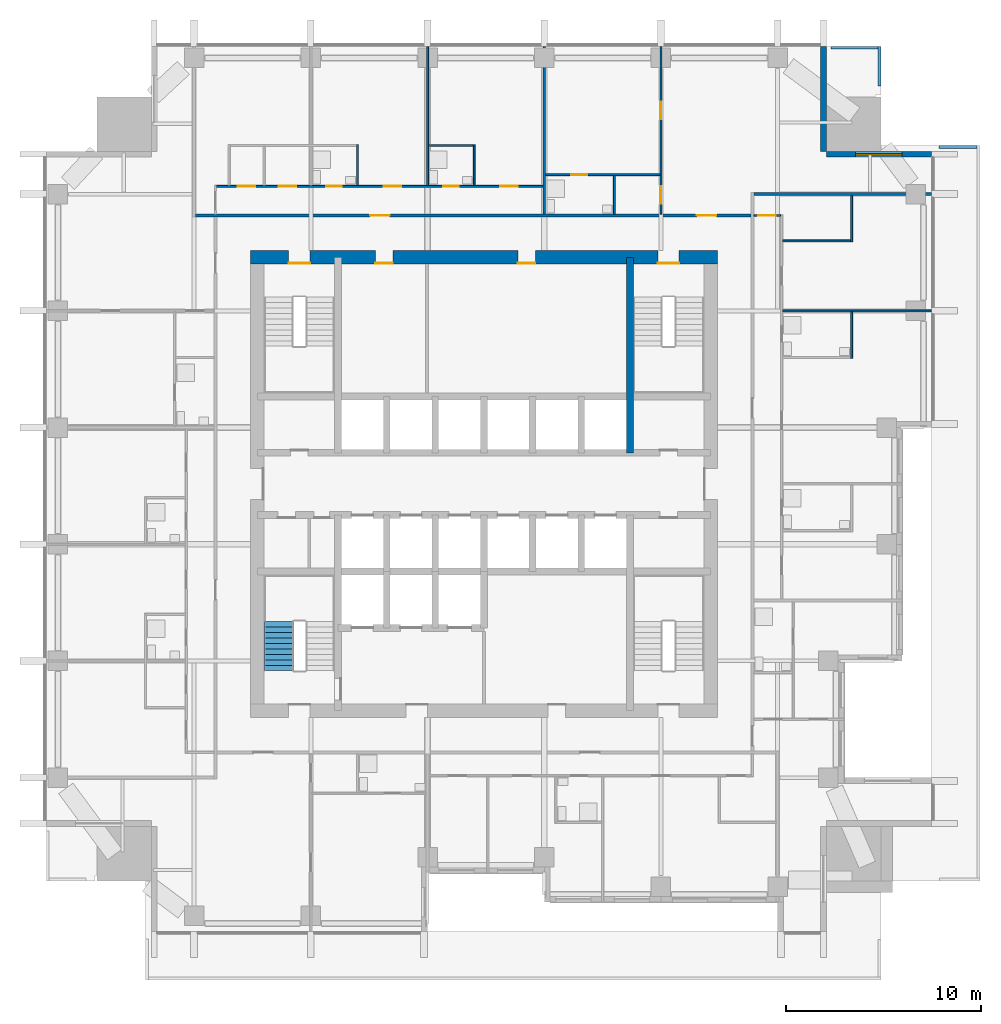
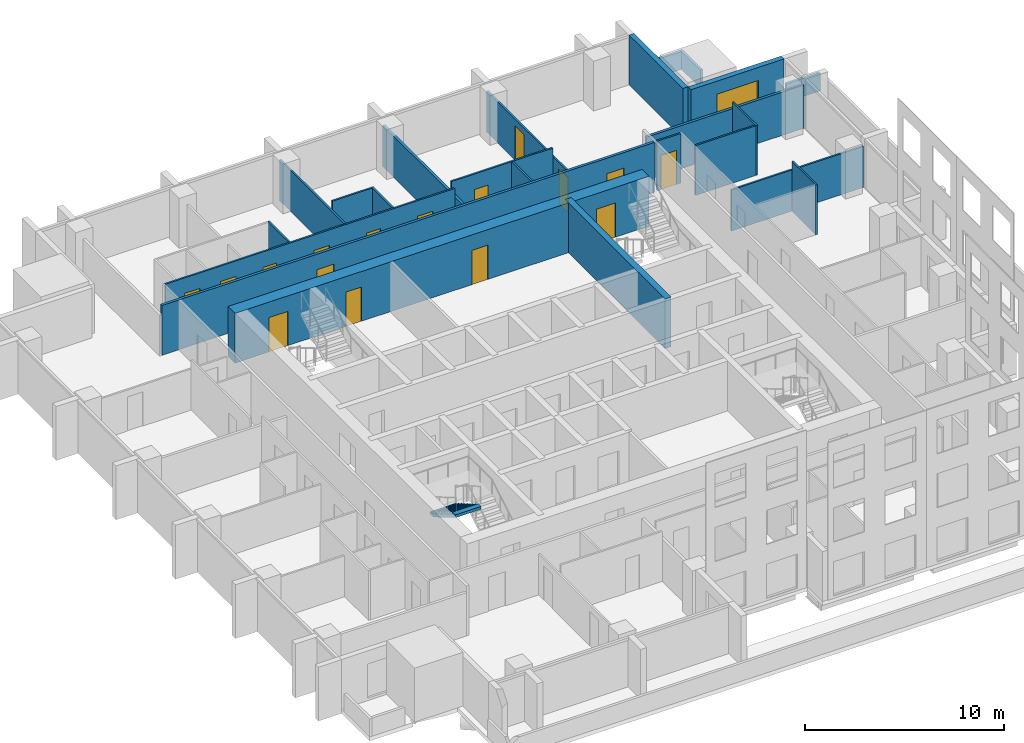
# One storey, part 8 of 14: 23 walls, 16 doors, 1 stair flight, 1 window, 17 openings, 1 element without a shape of its own.
"""IFC4 building model written with IfcOpenShell, lengths in metres."""

from ifc_helpers import new_model, si_unit, direction, frame, frame_2d, origin, place, context, subcontext, project, spatial, polyline, rectangle, outline, extrude, material, layer, layer_set, type_object, element, fill, aggregate, save


model = new_model("IFC4")

# Units and contexts
model_context = context("Model", 3, precision=1e-05, world=origin(), true_north=direction((0.0, 1.0)))
body_context = subcontext(model_context, "Body", "Model", "MODEL_VIEW")
ifc_project = project(units=[si_unit("LENGTHUNIT", "METRE"), si_unit("AREAUNIT", "SQUARE_METRE"), si_unit("VOLUMEUNIT", "CUBIC_METRE"), si_unit("PLANEANGLEUNIT", "RADIAN"), si_unit("MASSUNIT", "GRAM", prefix="KILO")], contexts=[model_context])

# Site, building, storey
site_placement = place(None, origin())
site = spatial("IfcSite", under=ifc_project, at=site_placement, CompositionType="ELEMENT")
building_placement = place(site_placement, origin())
building = spatial("IfcBuilding", under=site, at=building_placement, Name="Amberfall Residences", CompositionType="ELEMENT")
storey_placement = place(building_placement, frame((0.0, 0.0, 133.89990234375)))
storey = spatial("IfcBuildingStorey", under=building, at=storey_placement, Name="L35", CompositionType="ELEMENT", Elevation=133.89990234375)

# Wall, opening, window
ifc_material_1 = material(Name="Pale stone cladding on insulated backing", Category="masonry")
ifc_layer_1 = layer(ifc_material_1, 0.300048828125)
ifc_layer_set_1 = layer_set([ifc_layer_1], Name="Bronze clad wall 300")
wall_type_1 = type_object("IfcWallType", Name="Bronze clad wall 300", PredefinedType="SOLIDWALL", material=ifc_layer_set_1)
wall_1_placement = place(storey_placement, frame((97.5, 62.449951171875, 0.0), z_axis=(0.0, 0.0, 1.0), x_axis=(-1.0, 0.0, 0.0)))
wall_1 = element("IfcWall", 1, at=wall_1_placement, inside=storey, type_object=wall_type_1, Name="External wall L35 NE", PredefinedType="SOLIDWALL", context=body_context, shape_type="SweptSolid", body=[
    extrude(rectangle(XDim=5.39990234375, YDim=0.300048828125, at=frame_2d((2.699951171875, 0.0))), origin(), (0.0, 0.0, 1.0), 3.050048828125),
])
opening_1_placement = place(wall_1_placement, frame((1.5, 0.0, 0.14990234375)))
opening_1 = element("IfcOpeningElement", 2, at=opening_1_placement, cuts=wall_1, Name="Opening WN5", PredefinedType="OPENING", context=body_context, shape_type="SweptSolid", body=[
    extrude(rectangle(XDim=2.39990234375, YDim=2.10009765625, at=frame_2d((1.199951171875, 1.050048828125))), frame((0.0, 0.159912109375, 0.0), z_axis=(0.0, -1.0, 0.0), x_axis=(1.0, 0.0, 0.0)), (0.0, 0.0, 1.0), 0.320068359375),
])
ifc_material_2 = material(Name="Bronze aluminium framed glazing", Category="aluminium")
window_type = type_object("IfcWindowType", Name="Glazed opening 2400 x 2100 bronze", PartitioningType="DOUBLE_PANEL_VERTICAL", PredefinedType="WINDOW", material=ifc_material_2)
window_placement = place(opening_1_placement, origin())
window = element("IfcWindow", 3, at=window_placement, inside=storey, type_object=window_type, Name="Window L35 NE", OverallHeight=2.10009765625, OverallWidth=2.39990234375, PartitioningType="DOUBLE_PANEL_VERTICAL", PredefinedType="WINDOW", context=body_context, shape_type="SweptSolid", body=[
    extrude(rectangle(XDim=2.39990234375, YDim=2.10009765625, at=frame_2d((1.199951171875, 1.050048828125))), frame((0.0, 0.030029296875, 0.0), z_axis=(0.0, -1.0, 0.0), x_axis=(1.0, 0.0, 0.0)), (0.0, 0.0, 1.0), 0.06005859375),
])
fill(opening_1, window)

# Walls
wall_2_placement = place(storey_placement, frame((91.949951171875, 62.60009765625, 0.0), z_axis=(0.0, 0.0, 1.0), x_axis=(0.0, 1.0, 0.0)))
element("IfcWall", 4, at=wall_2_placement, inside=storey, type_object=wall_type_1, Name="External wall L35 NE", PredefinedType="SOLIDWALL", context=body_context, shape_type="SweptSolid", body=[
    extrude(rectangle(XDim=5.39990234375, YDim=0.300048828125, at=frame_2d((2.699951171875, 0.0))), origin(), (0.0, 0.0, 1.0), 3.050048828125),
])
ifc_material_3 = material(Name="Concrete C60", Category="concrete")
ifc_layer_2 = layer(ifc_material_3, 0.35009765625)
ifc_layer_set_2 = layer_set([ifc_layer_2], Name="Core wall 350 C60")
wall_type_2 = type_object("IfcWallType", Name="Core wall 350 C60", PredefinedType="SHEAR", material=ifc_layer_set_2)
wall_3_placement = place(storey_placement, frame((82.0, 47.10009765625, 0.0), z_axis=(0.0, 0.0, 1.0), x_axis=(0.0, 1.0, 0.0)))
element("IfcWall", 5, at=wall_3_placement, inside=storey, type_object=wall_type_2, Name="Core wall RW6 L35 V195N", PredefinedType="SHEAR", context=body_context, shape_type="SweptSolid", body=[
    extrude(rectangle(XDim=10.0498046875, YDim=0.35009765625, at=frame_2d((5.02490234375, 0.0))), origin(), (0.0, 0.0, 1.0), 3.050048828125),
])

# Wall, openings, doors
ifc_layer_3 = layer(ifc_material_3, 0.699951171875)
ifc_layer_set_3 = layer_set([ifc_layer_3], Name="Core wall 700 C60")
wall_type_3 = type_object("IfcWallType", Name="Core wall 700 C60", PredefinedType="SHEAR", material=ifc_layer_set_3)
wall_4_placement = place(storey_placement, frame((62.5, 57.14990234375, 0.0), z_axis=(0.0, 0.0, 1.0), x_axis=(1.0, 0.0, 0.0)))
wall_4 = element("IfcWall", 6, at=wall_4_placement, inside=storey, type_object=wall_type_3, Name="Core wall RW5 L35 ON", PredefinedType="SHEAR", context=body_context, shape_type="SweptSolid", body=[
    extrude(rectangle(XDim=24.0, YDim=0.699951171875, at=frame_2d((12.0, 0.0))), origin(), (0.0, 0.0, 1.0), 3.050048828125),
])
opening_2_placement = place(wall_4_placement, frame((20.9375, 0.0, 0.0)))
opening_2 = element("IfcOpeningElement", 7, at=opening_2_placement, cuts=wall_4, Name="Opening SD1", PredefinedType="OPENING", context=body_context, shape_type="SweptSolid", body=[
    extrude(rectangle(XDim=1.10009765625, YDim=2.10009765625, at=frame_2d((0.550048828125, 1.050048828125))), frame((0.0, 0.35986328125, 0.0), z_axis=(0.0, -1.0, 0.0), x_axis=(1.0, 0.0, 0.0)), (0.0, 0.0, 1.0), 0.719970703125),
])
opening_3_placement = place(wall_4_placement, frame((1.96240234375, 0.0, 0.0)))
opening_3 = element("IfcOpeningElement", 8, at=opening_3_placement, cuts=wall_4, Name="Opening SD1", PredefinedType="OPENING", context=body_context, shape_type="SweptSolid", body=[
    extrude(rectangle(XDim=1.10009765625, YDim=2.10009765625, at=frame_2d((0.550048828125, 1.050048828125))), frame((0.0, 0.35986328125, 0.0), z_axis=(0.0, -1.0, 0.0), x_axis=(1.0, 0.0, 0.0)), (0.0, 0.0, 1.0), 0.719970703125),
])
opening_4_placement = place(wall_4_placement, frame((6.422607421875, 0.0, 0.0)))
opening_4 = element("IfcOpeningElement", 9, at=opening_4_placement, cuts=wall_4, Name="Opening RD1", PredefinedType="OPENING", context=body_context, shape_type="SweptSolid", body=[
    extrude(rectangle(XDim=0.89990234375, YDim=2.10009765625, at=frame_2d((0.449951171875, 1.050048828125))), frame((0.0, 0.35986328125, 0.0), z_axis=(0.0, -1.0, 0.0), x_axis=(1.0, 0.0, 0.0)), (0.0, 0.0, 1.0), 0.719970703125),
])
opening_5_placement = place(wall_4_placement, frame((13.74755859375, 0.0, 0.0)))
opening_5 = element("IfcOpeningElement", 10, at=opening_5_placement, cuts=wall_4, Name="Opening RD1", PredefinedType="OPENING", context=body_context, shape_type="SweptSolid", body=[
    extrude(rectangle(XDim=0.89990234375, YDim=2.10009765625, at=frame_2d((0.449951171875, 1.050048828125))), frame((0.0, 0.35986328125, 0.0), z_axis=(0.0, -1.0, 0.0), x_axis=(1.0, 0.0, 0.0)), (0.0, 0.0, 1.0), 0.719970703125),
])
ifc_material_4 = material(Name="Steel fire door set", Category="steel")
door_type_1 = type_object("IfcDoorType", Name="Service room door 900 x 2100", OperationType="SINGLE_SWING_LEFT", PredefinedType="DOOR", material=ifc_material_4)
door_1_placement = place(opening_4_placement, origin())
door_1 = element("IfcDoor", 11, at=door_1_placement, inside=storey, type_object=door_type_1, Name="RD1 L35", OperationType="SINGLE_SWING_RIGHT", OverallHeight=2.10009765625, OverallWidth=0.89990234375, PredefinedType="DOOR", context=body_context, shape_type="SweptSolid", body=[
    extrude(rectangle(XDim=0.89990234375, YDim=2.10009765625, at=frame_2d((0.449951171875, 1.050048828125))), frame((0.0, -0.28759765625, 0.0), z_axis=(0.0, -1.0, 0.0), x_axis=(1.0, 0.0, 0.0)), (0.0, 0.0, 1.0), 0.050048828125),
])
fill(opening_4, door_1)
door_2_placement = place(opening_5_placement, origin())
door_2 = element("IfcDoor", 12, at=door_2_placement, inside=storey, type_object=door_type_1, Name="RD1 L35", OperationType="SINGLE_SWING_RIGHT", OverallHeight=2.10009765625, OverallWidth=0.89990234375, PredefinedType="DOOR", context=body_context, shape_type="SweptSolid", body=[
    extrude(rectangle(XDim=0.89990234375, YDim=2.10009765625, at=frame_2d((0.449951171875, 1.050048828125))), frame((0.0, -0.28759765625, 0.0), z_axis=(0.0, -1.0, 0.0), x_axis=(1.0, 0.0, 0.0)), (0.0, 0.0, 1.0), 0.050048828125),
])
fill(opening_5, door_2)
door_type_2 = type_object("IfcDoorType", Name="Stair door 1100 x 2100", OperationType="SINGLE_SWING_LEFT", PredefinedType="DOOR", material=ifc_material_4)
door_3_placement = place(opening_2_placement, origin())
door_3 = element("IfcDoor", 13, at=door_3_placement, inside=storey, type_object=door_type_2, Name="SD1 L35", OperationType="SINGLE_SWING_RIGHT", OverallHeight=2.10009765625, OverallWidth=1.10009765625, PredefinedType="DOOR", context=body_context, shape_type="SweptSolid", body=[
    extrude(rectangle(XDim=1.10009765625, YDim=2.10009765625, at=frame_2d((0.550048828125, 1.050048828125))), frame((0.0, -0.28759765625, 0.0), z_axis=(0.0, -1.0, 0.0), x_axis=(1.0, 0.0, 0.0)), (0.0, 0.0, 1.0), 0.050048828125),
])
fill(opening_2, door_3)
door_4_placement = place(opening_3_placement, origin())
door_4 = element("IfcDoor", 14, at=door_4_placement, inside=storey, type_object=door_type_2, Name="SD1 L35", OperationType="SINGLE_SWING_LEFT", OverallHeight=2.10009765625, OverallWidth=1.10009765625, PredefinedType="DOOR", context=body_context, shape_type="SweptSolid", body=[
    extrude(rectangle(XDim=1.10009765625, YDim=2.10009765625, at=frame_2d((0.550048828125, 1.050048828125))), frame((0.0, -0.28759765625, 0.0), z_axis=(0.0, -1.0, 0.0), x_axis=(1.0, 0.0, 0.0)), (0.0, 0.0, 1.0), 0.050048828125),
])
fill(opening_3, door_4)

# Walls
ifc_material_5 = material(Name="Gypsum board on metal stud")
ifc_layer_4 = layer(ifc_material_5, 0.10009765625)
ifc_layer_set_4 = layer_set([ifc_layer_4], Name="Flat partition 100")
wall_type_4 = type_object("IfcWallType", Name="Flat partition 100", PredefinedType="PARTITIONING", material=ifc_layer_set_4)
wall_5_placement = place(storey_placement, frame((68.0, 60.85009765625, 0.0), z_axis=(0.0, 0.0, 1.0), x_axis=(0.0, 1.0, 0.0)))
element("IfcWall", 15, at=wall_5_placement, inside=storey, type_object=wall_type_4, Name="Partition 011", PredefinedType="PARTITIONING", context=body_context, shape_type="SweptSolid", body=[
    extrude(rectangle(XDim=2.099853515625, YDim=0.10009765625, at=frame_2d((1.0498046875, 0.0))), origin(), (0.0, 0.0, 1.0), 3.050048828125),
])
wall_6_placement = place(storey_placement, frame((71.60009765625, 60.85009765625, 0.0), z_axis=(0.0, 0.0, 1.0), x_axis=(0.0, 1.0, 0.0)))
element("IfcWall", 16, at=wall_6_placement, inside=storey, type_object=wall_type_4, Name="Partition 012", PredefinedType="PARTITIONING", context=body_context, shape_type="SweptSolid", body=[
    extrude(rectangle(XDim=7.14990234375, YDim=0.10009765625, at=frame_2d((3.574951171875, 0.0))), origin(), (0.0, 0.0, 1.0), 2.51611328125),
])
wall_7_placement = place(storey_placement, frame((74.0, 60.85009765625, 0.0), z_axis=(0.0, 0.0, 1.0), x_axis=(0.0, 1.0, 0.0)))
element("IfcWall", 17, at=wall_7_placement, inside=storey, type_object=wall_type_4, Name="Partition 013", PredefinedType="PARTITIONING", context=body_context, shape_type="SweptSolid", body=[
    extrude(rectangle(XDim=2.099853515625, YDim=0.10009765625, at=frame_2d((1.0498046875, 0.0))), origin(), (0.0, 0.0, 1.0), 3.050048828125),
])
wall_8_placement = place(storey_placement, frame((81.199951171875, 59.375, 0.0), z_axis=(0.0, 0.0, 1.0), x_axis=(0.0, 1.0, 0.0)))
element("IfcWall", 18, at=wall_8_placement, inside=storey, type_object=wall_type_4, Name="Partition 017", PredefinedType="PARTITIONING", context=body_context, shape_type="SweptSolid", body=[
    extrude(rectangle(XDim=1.97509765625, YDim=0.10009765625, at=frame_2d((0.987548828125, 0.0))), origin(), (0.0, 0.0, 1.0), 3.050048828125),
])

# Wall, openings, doors
wall_9_placement = place(storey_placement, frame((83.60009765625, 59.375, 0.0), z_axis=(0.0, 0.0, 1.0), x_axis=(0.0, 1.0, 0.0)))
wall_9 = element("IfcWall", 19, at=wall_9_placement, inside=storey, type_object=wall_type_4, Name="Partition 018", PredefinedType="PARTITIONING", context=body_context, shape_type="SweptSolid", body=[
    extrude(rectangle(XDim=8.625, YDim=0.10009765625, at=frame_2d((4.3125, 0.0))), origin(), (0.0, 0.0, 1.0), 2.51611328125),
])
opening_6_placement = place(wall_9_placement, frame((0.52490234375, 0.0, 0.0)))
opening_6 = element("IfcOpeningElement", 20, at=opening_6_placement, cuts=wall_9, Name="Opening D41", PredefinedType="OPENING", context=body_context, shape_type="SweptSolid", body=[
    extrude(rectangle(XDim=0.89990234375, YDim=2.10009765625, at=frame_2d((0.449951171875, 1.050048828125))), frame((0.0, 0.06005859375, 0.0), z_axis=(0.0, -1.0, 0.0), x_axis=(1.0, 0.0, 0.0)), (0.0, 0.0, 1.0), 0.1201171875),
])
opening_7_placement = place(wall_9_placement, frame((4.875, 0.0, 0.0)))
opening_7 = element("IfcOpeningElement", 21, at=opening_7_placement, cuts=wall_9, Name="Opening D41", PredefinedType="OPENING", context=body_context, shape_type="SweptSolid", body=[
    extrude(rectangle(XDim=0.89990234375, YDim=2.10009765625, at=frame_2d((0.449951171875, 1.050048828125))), frame((0.0, 0.06005859375, 0.0), z_axis=(0.0, -1.0, 0.0), x_axis=(1.0, 0.0, 0.0)), (0.0, 0.0, 1.0), 0.1201171875),
])
ifc_material_6 = material(Name="Timber", Category="wood")
door_type_3 = type_object("IfcDoorType", Name="Internal door 900 x 2100", OperationType="SINGLE_SWING_LEFT", PredefinedType="DOOR", material=ifc_material_6)
door_5_placement = place(opening_6_placement, origin())
door_5 = element("IfcDoor", 22, at=door_5_placement, inside=storey, type_object=door_type_3, Name="Door 3506 kitchen", OperationType="SINGLE_SWING_LEFT", OverallHeight=2.10009765625, OverallWidth=0.89990234375, PredefinedType="DOOR", context=body_context, shape_type="SweptSolid", body=[
    extrude(rectangle(XDim=0.89990234375, YDim=2.10009765625, at=frame_2d((0.449951171875, 1.050048828125))), frame((0.0, 0.02490234375, 0.0), z_axis=(0.0, -1.0, 0.0), x_axis=(1.0, 0.0, 0.0)), (0.0, 0.0, 1.0), 0.050048828125),
])
fill(opening_6, door_5)
door_6_placement = place(opening_7_placement, origin())
door_6 = element("IfcDoor", 23, at=door_6_placement, inside=storey, type_object=door_type_3, Name="Door 3506 bedroom1", OperationType="SINGLE_SWING_LEFT", OverallHeight=2.10009765625, OverallWidth=0.89990234375, PredefinedType="DOOR", context=body_context, shape_type="SweptSolid", body=[
    extrude(rectangle(XDim=0.89990234375, YDim=2.10009765625, at=frame_2d((0.449951171875, 1.050048828125))), frame((0.0, 0.02490234375, 0.0), z_axis=(0.0, -1.0, 0.0), x_axis=(1.0, 0.0, 0.0)), (0.0, 0.0, 1.0), 0.050048828125),
])
fill(opening_7, door_6)

# Walls
wall_10_placement = place(storey_placement, frame((93.39990234375, 51.949951171875, 0.0), z_axis=(0.0, 0.0, 1.0), x_axis=(0.0, 1.0, 0.0)))
element("IfcWall", 24, at=wall_10_placement, inside=storey, type_object=wall_type_4, Name="Partition 024", PredefinedType="PARTITIONING", context=body_context, shape_type="SweptSolid", body=[
    extrude(rectangle(XDim=2.400146484375, YDim=0.10009765625, at=frame_2d((1.2001953125, 0.0))), origin(), (0.0, 0.0, 1.0), 3.050048828125),
])
wall_11_placement = place(storey_placement, frame((93.39990234375, 57.949951171875, 0.0), z_axis=(0.0, 0.0, 1.0), x_axis=(0.0, 1.0, 0.0)))
element("IfcWall", 25, at=wall_11_placement, inside=storey, type_object=wall_type_4, Name="Partition 025", PredefinedType="PARTITIONING", context=body_context, shape_type="SweptSolid", body=[
    extrude(rectangle(XDim=2.375, YDim=0.10009765625, at=frame_2d((1.1875, 0.0))), origin(), (0.0, 0.0, 1.0), 3.050048828125),
])
wall_12_placement = place(storey_placement, frame((71.64990234375, 62.89990234375, 0.0), z_axis=(0.0, 0.0, 1.0), x_axis=(1.0, 0.0, 0.0)))
element("IfcWall", 26, at=wall_12_placement, inside=storey, type_object=wall_type_4, Name="Partition 027", PredefinedType="PARTITIONING", context=body_context, shape_type="SweptSolid", body=[
    extrude(rectangle(XDim=2.300048828125, YDim=0.10009765625, at=frame_2d((1.14990234375, 0.0))), origin(), (0.0, 0.0, 1.0), 3.050048828125),
])

# Wall, opening, door
wall_13_placement = place(storey_placement, frame((83.550048828125, 61.39990234375, 0.0), z_axis=(0.0, 0.0, 1.0), x_axis=(-1.0, 0.0, 0.0)))
wall_13 = element("IfcWall", 27, at=wall_13_placement, inside=storey, type_object=wall_type_4, Name="Partition 028", PredefinedType="PARTITIONING", context=body_context, shape_type="SweptSolid", body=[
    extrude(rectangle(XDim=5.875, YDim=0.10009765625, at=frame_2d((2.9375, 0.0))), origin(), (0.0, 0.0, 1.0), 3.050048828125),
])
opening_8_placement = place(wall_13_placement, frame((3.75, 0.0, 0.0)))
opening_8 = element("IfcOpeningElement", 28, at=opening_8_placement, cuts=wall_13, Name="Opening D42", PredefinedType="OPENING", context=body_context, shape_type="SweptSolid", body=[
    extrude(rectangle(XDim=0.800048828125, YDim=2.10009765625, at=frame_2d((0.39990234375, 1.050048828125))), frame((0.0, 0.06005859375, 0.0), z_axis=(0.0, -1.0, 0.0), x_axis=(1.0, 0.0, 0.0)), (0.0, 0.0, 1.0), 0.1201171875),
])
door_type_4 = type_object("IfcDoorType", Name="Bathroom door 800 x 2100", OperationType="SINGLE_SWING_LEFT", PredefinedType="DOOR", material=ifc_material_6)
door_7_placement = place(opening_8_placement, origin())
door_7 = element("IfcDoor", 29, at=door_7_placement, inside=storey, type_object=door_type_4, Name="Door 3506 bath1", OperationType="SINGLE_SWING_LEFT", OverallHeight=2.10009765625, OverallWidth=0.800048828125, PredefinedType="DOOR", context=body_context, shape_type="SweptSolid", body=[
    extrude(rectangle(XDim=0.800048828125, YDim=2.10009765625, at=frame_2d((0.39990234375, 1.050048828125))), frame((0.0, 0.02490234375, 0.0), z_axis=(0.0, -1.0, 0.0), x_axis=(1.0, 0.0, 0.0)), (0.0, 0.0, 1.0), 0.050048828125),
])
fill(opening_8, door_7)

# Wall, openings, doors
wall_14_placement = place(storey_placement, frame((60.75, 60.800048828125, 0.0), z_axis=(0.0, 0.0, 1.0), x_axis=(1.0, 0.0, 0.0)))
wall_14 = element("IfcWall", 30, at=wall_14_placement, inside=storey, type_object=wall_type_4, Name="Partition 029", PredefinedType="PARTITIONING", context=body_context, shape_type="SweptSolid", body=[
    extrude(rectangle(XDim=16.77490234375, YDim=0.10009765625, at=frame_2d((8.387451171875, 0.0))), origin(), (0.0, 0.0, 1.0), 3.050048828125),
])
opening_9_placement = place(wall_14_placement, frame((3.199951171875, 0.0, 0.0)))
opening_9 = element("IfcOpeningElement", 31, at=opening_9_placement, cuts=wall_14, Name="Opening D41", PredefinedType="OPENING", context=body_context, shape_type="SweptSolid", body=[
    extrude(rectangle(XDim=0.89990234375, YDim=2.10009765625, at=frame_2d((0.449951171875, 1.050048828125))), frame((0.0, 0.06005859375, 0.0), z_axis=(0.0, -1.0, 0.0), x_axis=(1.0, 0.0, 0.0)), (0.0, 0.0, 1.0), 0.1201171875),
])
opening_10_placement = place(wall_14_placement, frame((1.10009765625, 0.0, 0.0)))
opening_10 = element("IfcOpeningElement", 32, at=opening_10_placement, cuts=wall_14, Name="Opening D41", PredefinedType="OPENING", context=body_context, shape_type="SweptSolid", body=[
    extrude(rectangle(XDim=0.89990234375, YDim=2.10009765625, at=frame_2d((0.449951171875, 1.050048828125))), frame((0.0, 0.06005859375, 0.0), z_axis=(0.0, -1.0, 0.0), x_axis=(1.0, 0.0, 0.0)), (0.0, 0.0, 1.0), 0.1201171875),
])
opening_11_placement = place(wall_14_placement, frame((8.60009765625, 0.0, 0.0)))
opening_11 = element("IfcOpeningElement", 33, at=opening_11_placement, cuts=wall_14, Name="Opening D41", PredefinedType="OPENING", context=body_context, shape_type="SweptSolid", body=[
    extrude(rectangle(XDim=0.89990234375, YDim=2.10009765625, at=frame_2d((0.449951171875, 1.050048828125))), frame((0.0, 0.06005859375, 0.0), z_axis=(0.0, -1.0, 0.0), x_axis=(1.0, 0.0, 0.0)), (0.0, 0.0, 1.0), 0.1201171875),
])
opening_12_placement = place(wall_14_placement, frame((14.60009765625, 0.0, 0.0)))
opening_12 = element("IfcOpeningElement", 34, at=opening_12_placement, cuts=wall_14, Name="Opening D41", PredefinedType="OPENING", context=body_context, shape_type="SweptSolid", body=[
    extrude(rectangle(XDim=0.89990234375, YDim=2.10009765625, at=frame_2d((0.449951171875, 1.050048828125))), frame((0.0, 0.06005859375, 0.0), z_axis=(0.0, -1.0, 0.0), x_axis=(1.0, 0.0, 0.0)), (0.0, 0.0, 1.0), 0.1201171875),
])
opening_13_placement = place(wall_14_placement, frame((5.64990234375, 0.0, 0.0)))
opening_13 = element("IfcOpeningElement", 35, at=opening_13_placement, cuts=wall_14, Name="Opening D42", PredefinedType="OPENING", context=body_context, shape_type="SweptSolid", body=[
    extrude(rectangle(XDim=0.800048828125, YDim=2.10009765625, at=frame_2d((0.39990234375, 1.050048828125))), frame((0.0, 0.06005859375, 0.0), z_axis=(0.0, -1.0, 0.0), x_axis=(1.0, 0.0, 0.0)), (0.0, 0.0, 1.0), 0.1201171875),
])
opening_14_placement = place(wall_14_placement, frame((11.64990234375, 0.0, 0.0)))
opening_14 = element("IfcOpeningElement", 36, at=opening_14_placement, cuts=wall_14, Name="Opening D42", PredefinedType="OPENING", context=body_context, shape_type="SweptSolid", body=[
    extrude(rectangle(XDim=0.800048828125, YDim=2.10009765625, at=frame_2d((0.39990234375, 1.050048828125))), frame((0.0, 0.06005859375, 0.0), z_axis=(0.0, -1.0, 0.0), x_axis=(1.0, 0.0, 0.0)), (0.0, 0.0, 1.0), 0.1201171875),
])
door_8_placement = place(opening_13_placement, origin())
door_8 = element("IfcDoor", 37, at=door_8_placement, inside=storey, type_object=door_type_4, Name="Door 3505 bath1", OperationType="SINGLE_SWING_LEFT", OverallHeight=2.10009765625, OverallWidth=0.800048828125, PredefinedType="DOOR", context=body_context, shape_type="SweptSolid", body=[
    extrude(rectangle(XDim=0.800048828125, YDim=2.10009765625, at=frame_2d((0.39990234375, 1.050048828125))), frame((0.0, 0.02490234375, 0.0), z_axis=(0.0, -1.0, 0.0), x_axis=(1.0, 0.0, 0.0)), (0.0, 0.0, 1.0), 0.050048828125),
])
fill(opening_13, door_8)
door_9_placement = place(opening_14_placement, origin())
door_9 = element("IfcDoor", 38, at=door_9_placement, inside=storey, type_object=door_type_4, Name="Door 3505 bath2", OperationType="SINGLE_SWING_LEFT", OverallHeight=2.10009765625, OverallWidth=0.800048828125, PredefinedType="DOOR", context=body_context, shape_type="SweptSolid", body=[
    extrude(rectangle(XDim=0.800048828125, YDim=2.10009765625, at=frame_2d((0.39990234375, 1.050048828125))), frame((0.0, 0.02490234375, 0.0), z_axis=(0.0, -1.0, 0.0), x_axis=(1.0, 0.0, 0.0)), (0.0, 0.0, 1.0), 0.050048828125),
])
fill(opening_14, door_9)
door_10_placement = place(opening_9_placement, origin())
door_10 = element("IfcDoor", 39, at=door_10_placement, inside=storey, type_object=door_type_3, Name="Door 3505 kitchen", OperationType="SINGLE_SWING_LEFT", OverallHeight=2.10009765625, OverallWidth=0.89990234375, PredefinedType="DOOR", context=body_context, shape_type="SweptSolid", body=[
    extrude(rectangle(XDim=0.89990234375, YDim=2.10009765625, at=frame_2d((0.449951171875, 1.050048828125))), frame((0.0, 0.02490234375, 0.0), z_axis=(0.0, -1.0, 0.0), x_axis=(1.0, 0.0, 0.0)), (0.0, 0.0, 1.0), 0.050048828125),
])
fill(opening_9, door_10)
door_11_placement = place(opening_10_placement, origin())
door_11 = element("IfcDoor", 40, at=door_11_placement, inside=storey, type_object=door_type_3, Name="Door 3505 utility", OperationType="SINGLE_SWING_LEFT", OverallHeight=2.10009765625, OverallWidth=0.89990234375, PredefinedType="DOOR", context=body_context, shape_type="SweptSolid", body=[
    extrude(rectangle(XDim=0.89990234375, YDim=2.10009765625, at=frame_2d((0.449951171875, 1.050048828125))), frame((0.0, 0.02490234375, 0.0), z_axis=(0.0, -1.0, 0.0), x_axis=(1.0, 0.0, 0.0)), (0.0, 0.0, 1.0), 0.050048828125),
])
fill(opening_10, door_11)
door_12_placement = place(opening_11_placement, origin())
door_12 = element("IfcDoor", 41, at=door_12_placement, inside=storey, type_object=door_type_3, Name="Door 3505 bedroom1", OperationType="SINGLE_SWING_LEFT", OverallHeight=2.10009765625, OverallWidth=0.89990234375, PredefinedType="DOOR", context=body_context, shape_type="SweptSolid", body=[
    extrude(rectangle(XDim=0.89990234375, YDim=2.10009765625, at=frame_2d((0.449951171875, 1.050048828125))), frame((0.0, 0.02490234375, 0.0), z_axis=(0.0, -1.0, 0.0), x_axis=(1.0, 0.0, 0.0)), (0.0, 0.0, 1.0), 0.050048828125),
])
fill(opening_11, door_12)
door_13_placement = place(opening_12_placement, origin())
door_13 = element("IfcDoor", 42, at=door_13_placement, inside=storey, type_object=door_type_3, Name="Door 3505 bedroom2", OperationType="SINGLE_SWING_LEFT", OverallHeight=2.10009765625, OverallWidth=0.89990234375, PredefinedType="DOOR", context=body_context, shape_type="SweptSolid", body=[
    extrude(rectangle(XDim=0.89990234375, YDim=2.10009765625, at=frame_2d((0.449951171875, 1.050048828125))), frame((0.0, 0.02490234375, 0.0), z_axis=(0.0, -1.0, 0.0), x_axis=(1.0, 0.0, 0.0)), (0.0, 0.0, 1.0), 0.050048828125),
])
fill(opening_12, door_13)

# Wall, opening, door
wall_15_placement = place(storey_placement, frame((89.75, 59.300048828125, 0.0), z_axis=(0.0, 0.0, 1.0), x_axis=(-1.0, 0.0, 0.0)))
wall_15 = element("IfcWall", 43, at=wall_15_placement, inside=storey, type_object=wall_type_4, Name="Partition 030", PredefinedType="PARTITIONING", context=body_context, shape_type="SweptSolid", body=[
    extrude(rectangle(XDim=1.375, YDim=0.10009765625, at=frame_2d((0.6875, 0.0))), origin(), (0.0, 0.0, 1.0), 3.050048828125),
])
opening_15_placement = place(wall_15_placement, frame((0.25, 0.0, 0.0)))
opening_15 = element("IfcOpeningElement", 44, at=opening_15_placement, cuts=wall_15, Name="Opening D41", PredefinedType="OPENING", context=body_context, shape_type="SweptSolid", body=[
    extrude(rectangle(XDim=0.89990234375, YDim=2.10009765625, at=frame_2d((0.449951171875, 1.050048828125))), frame((0.0, 0.06005859375, 0.0), z_axis=(0.0, -1.0, 0.0), x_axis=(1.0, 0.0, 0.0)), (0.0, 0.0, 1.0), 0.1201171875),
])
door_14_placement = place(opening_15_placement, origin())
door_14 = element("IfcDoor", 45, at=door_14_placement, inside=storey, type_object=door_type_3, Name="Door 3504 kitchen", OperationType="SINGLE_SWING_LEFT", OverallHeight=2.10009765625, OverallWidth=0.89990234375, PredefinedType="DOOR", context=body_context, shape_type="SweptSolid", body=[
    extrude(rectangle(XDim=0.89990234375, YDim=2.10009765625, at=frame_2d((0.449951171875, 1.050048828125))), frame((0.0, 0.02490234375, 0.0), z_axis=(0.0, -1.0, 0.0), x_axis=(1.0, 0.0, 0.0)), (0.0, 0.0, 1.0), 0.050048828125),
])
fill(opening_15, door_14)

# Walls
wall_16_placement = place(storey_placement, frame((89.85009765625, 58.0, 0.0), z_axis=(0.0, 0.0, 1.0), x_axis=(1.0, 0.0, 0.0)))
element("IfcWall", 46, at=wall_16_placement, inside=storey, type_object=wall_type_4, Name="Partition 031", PredefinedType="PARTITIONING", context=body_context, shape_type="SweptSolid", body=[
    extrude(rectangle(XDim=3.5, YDim=0.10009765625, at=frame_2d((1.75, 0.0))), origin(), (0.0, 0.0, 1.0), 3.050048828125),
])
wall_17_placement = place(storey_placement, frame((89.85009765625, 54.39990234375, 0.0), z_axis=(0.0, 0.0, 1.0), x_axis=(1.0, 0.0, 0.0)))
element("IfcWall", 47, at=wall_17_placement, inside=storey, type_object=wall_type_4, Name="Partition 033", PredefinedType="PARTITIONING", context=body_context, shape_type="SweptSolid", body=[
    extrude(rectangle(XDim=7.64990234375, YDim=0.10009765625, at=frame_2d((3.824951171875, 0.0))), origin(), (0.0, 0.0, 1.0), 2.51611328125),
])
ifc_material_7 = material(Name="Blockwork, plastered", Category="masonry")
ifc_layer_5 = layer(ifc_material_7, 0.14990234375)
ifc_layer_set_5 = layer_set([ifc_layer_5], Name="Flat separating wall 150")
wall_type_5 = type_object("IfcWallType", Name="Flat separating wall 150", PredefinedType="PARTITIONING", material=ifc_layer_set_5)
wall_18_placement = place(storey_placement, frame((77.60009765625, 59.375, 0.0), z_axis=(0.0, 0.0, 1.0), x_axis=(0.0, 1.0, 0.0)))
element("IfcWall", 48, at=wall_18_placement, inside=storey, type_object=wall_type_5, Name="Separating wall 053", PredefinedType="PARTITIONING", context=body_context, shape_type="SweptSolid", body=[
    extrude(rectangle(XDim=8.625, YDim=0.14990234375, at=frame_2d((4.3125, 0.0))), origin(), (0.0, 0.0, 1.0), 2.51611328125),
])
wall_19_placement = place(storey_placement, frame((88.375, 60.39990234375, 0.0), z_axis=(0.0, 0.0, 1.0), x_axis=(1.0, 0.0, 0.0)))
element("IfcWall", 49, at=wall_19_placement, inside=storey, type_object=wall_type_5, Name="Separating wall 056", PredefinedType="PARTITIONING", context=body_context, shape_type="SweptSolid", body=[
    extrude(rectangle(XDim=9.125, YDim=0.14990234375, at=frame_2d((4.5625, 0.0))), origin(), (0.0, 0.0, 1.0), 2.647216796875),
])

# Wall, openings, doors
wall_20_placement = place(storey_placement, frame((59.675048828125, 59.300048828125, 0.0), z_axis=(0.0, 0.0, 1.0), x_axis=(1.0, 0.0, 0.0)))
wall_20 = element("IfcWall", 50, at=wall_20_placement, inside=storey, type_object=wall_type_5, Name="Separating wall 057", PredefinedType="PARTITIONING", context=body_context, shape_type="SweptSolid", body=[
    extrude(rectangle(XDim=28.550048828125, YDim=0.14990234375, at=frame_2d((14.27490234375, 0.0))), origin(), (0.0, 0.0, 1.0), 3.050048828125),
])
opening_16_placement = place(wall_20_placement, frame((8.97509765625, 0.0, 0.0)))
opening_16 = element("IfcOpeningElement", 51, at=opening_16_placement, cuts=wall_20, Name="Opening D40", PredefinedType="OPENING", context=body_context, shape_type="SweptSolid", body=[
    extrude(rectangle(XDim=1.0, YDim=2.10009765625, at=frame_2d((0.5, 1.050048828125))), frame((0.0, 0.0849609375, 0.0), z_axis=(0.0, -1.0, 0.0), x_axis=(1.0, 0.0, 0.0)), (0.0, 0.0, 1.0), 0.169921875),
])
opening_17_placement = place(wall_20_placement, frame((25.77490234375, 0.0, 0.0)))
opening_17 = element("IfcOpeningElement", 52, at=opening_17_placement, cuts=wall_20, Name="Opening D40", PredefinedType="OPENING", context=body_context, shape_type="SweptSolid", body=[
    extrude(rectangle(XDim=1.0, YDim=2.10009765625, at=frame_2d((0.5, 1.050048828125))), frame((0.0, 0.0849609375, 0.0), z_axis=(0.0, -1.0, 0.0), x_axis=(1.0, 0.0, 0.0)), (0.0, 0.0, 1.0), 0.169921875),
])
ifc_material_8 = material(Name="Timber, fire-rated", Category="wood")
door_type_5 = type_object("IfcDoorType", Name="Flat entrance door FD60 1000 x 2100", OperationType="SINGLE_SWING_LEFT", PredefinedType="DOOR", material=ifc_material_8)
door_15_placement = place(opening_16_placement, origin())
door_15 = element("IfcDoor", 53, at=door_15_placement, inside=storey, type_object=door_type_5, Name="Door 3505 entrance", OperationType="SINGLE_SWING_LEFT", OverallHeight=2.10009765625, OverallWidth=1.0, PredefinedType="DOOR", context=body_context, shape_type="SweptSolid", body=[
    extrude(rectangle(XDim=1.0, YDim=2.10009765625, at=frame_2d((0.5, 1.050048828125))), frame((0.0, 0.02490234375, 0.0), z_axis=(0.0, -1.0, 0.0), x_axis=(1.0, 0.0, 0.0)), (0.0, 0.0, 1.0), 0.050048828125),
])
fill(opening_16, door_15)
door_16_placement = place(opening_17_placement, origin())
door_16 = element("IfcDoor", 54, at=door_16_placement, inside=storey, type_object=door_type_5, Name="Door 3506 entrance", OperationType="SINGLE_SWING_LEFT", OverallHeight=2.10009765625, OverallWidth=1.0, PredefinedType="DOOR", context=body_context, shape_type="SweptSolid", body=[
    extrude(rectangle(XDim=1.0, YDim=2.10009765625, at=frame_2d((0.5, 1.050048828125))), frame((0.0, 0.02490234375, 0.0), z_axis=(0.0, -1.0, 0.0), x_axis=(1.0, 0.0, 0.0)), (0.0, 0.0, 1.0), 0.050048828125),
])
fill(opening_17, door_16)

# Walls
ifc_material_9 = material(Name="Concrete C40", Category="concrete")
ifc_layer_6 = layer(ifc_material_9, 0.14990234375)
ifc_layer_set_6 = layer_set([ifc_layer_6], Name="Ledge parapet 150")
wall_type_6 = type_object("IfcWallType", Name="Ledge parapet 150", PredefinedType="PARAPET", material=ifc_layer_set_6)
wall_21_placement = place(storey_placement, frame((99.85009765625, 62.824951171875, 0.0), z_axis=(0.0, 0.0, 1.0), x_axis=(-1.0, 0.0, 0.0)))
element("IfcWall", 55, at=wall_21_placement, inside=storey, type_object=wall_type_6, Name="Roof parapet L35 4", PredefinedType="PARAPET", context=body_context, shape_type="SweptSolid", body=[
    extrude(rectangle(XDim=1.956298828125, YDim=0.14990234375, at=frame_2d((0.97802734375, 0.0))), origin(), (0.0, 0.0, 1.0), 1.10009765625),
])
wall_22_placement = place(storey_placement, frame((94.824951171875, 65.961669921875, 0.0), z_axis=(0.0, 0.0, 1.0), x_axis=(0.0, 1.0, 0.0)))
element("IfcWall", 56, at=wall_22_placement, inside=storey, type_object=wall_type_6, Name="Roof parapet L35 5", PredefinedType="PARAPET", context=body_context, shape_type="SweptSolid", body=[
    extrude(rectangle(XDim=2.038330078125, YDim=0.14990234375, at=frame_2d((1.01904296875, 0.0))), origin(), (0.0, 0.0, 1.0), 1.10009765625),
])
wall_23_placement = place(storey_placement, frame((94.75, 67.925048828125, 0.0), z_axis=(0.0, 0.0, 1.0), x_axis=(-1.0, 0.0, 0.0)))
element("IfcWall", 57, at=wall_23_placement, inside=storey, type_object=wall_type_6, Name="Roof parapet L35 6", PredefinedType="PARAPET", context=body_context, shape_type="SweptSolid", body=[
    extrude(rectangle(XDim=2.39990234375, YDim=0.14990234375, at=frame_2d((1.199951171875, 0.0))), origin(), (0.0, 0.0, 1.0), 1.10009765625),
])

# Stair, stair flight
stair_type = type_object("IfcStairType", Name="Exit stair 20 risers 165.0 mm", PredefinedType="HALF_TURN_STAIR", material=ifc_material_9)
stair_placement = place(storey_placement, origin())
stair = element("IfcStair", 58, at=stair_placement, inside=storey, type_object=stair_type, Name="L35 Exit stair 1", PredefinedType="HALF_TURN_STAIR")
stair_flight_type = type_object("IfcStairFlightType", Name="Stair flight 10 risers 165.0 mm", PredefinedType="STRAIGHT", material=ifc_material_9)
stair_flight_placement = place(storey_placement, frame((63.949951171875, 38.419921875, 1.650146484375), z_axis=(0.0, 0.0, 1.0), x_axis=(0.0, -1.0, 0.0)))
stair_flight = element("IfcStairFlight", 59, at=stair_flight_placement, type_object=stair_flight_type, Name="ST3 flight 2", NumberOfRisers=10, NumberOfTreads=9, PredefinedType="STRAIGHT", RiserHeight=0.165, TreadLength=0.28, context=body_context, shape_type="SweptSolid", body=[
    extrude(outline(polyline([(0.0, 0.0), (0.0, 0.1650390625), (0.280029296875, 0.1650390625), (0.280029296875, 0.330078125), (0.56005859375, 0.330078125), (0.56005859375, 0.4951171875), (0.840087890625, 0.4951171875), (0.840087890625, 0.659912109375), (1.1201171875, 0.659912109375), (1.1201171875, 0.824951171875), (1.39990234375, 0.824951171875), (1.39990234375, 0.989990234375), (1.679931640625, 0.989990234375), (1.679931640625, 1.155029296875), (1.9599609375, 1.155029296875), (1.9599609375, 1.320068359375), (2.239990234375, 1.320068359375), (2.239990234375, 1.485107421875), (2.52001953125, 1.485107421875), (2.52001953125, 1.64990234375), (2.52001953125, 1.31103515625), (0.295166015625, 0.0), (0.0, 0.0)])), frame((0.0, 0.75, 0.0), z_axis=(0.0, -1.0, 0.0), x_axis=(1.0, 0.0, 0.0)), (0.0, 0.0, 1.0), 1.5),
])
aggregate(stair, [stair_flight])

save(model, "model.ifc")
